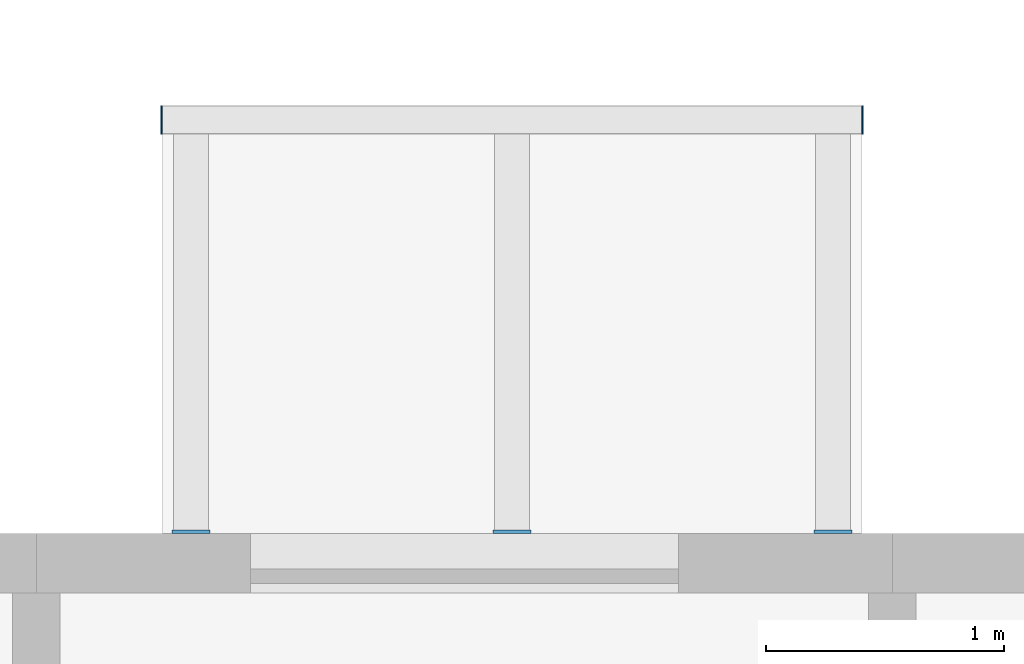
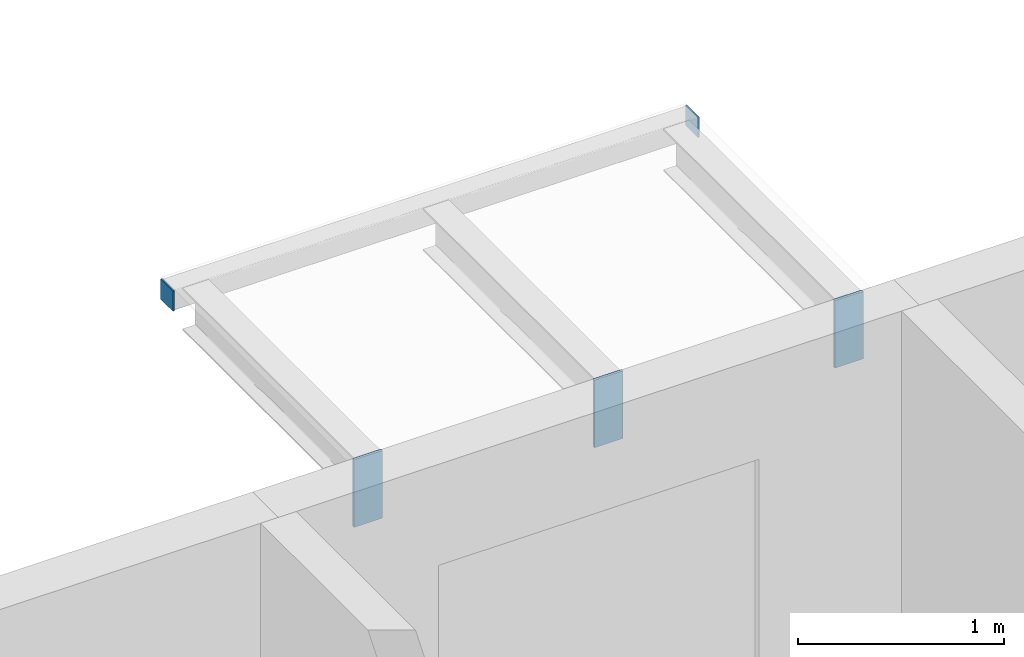
# One storey, part 45 of 64: 5 discrete accessories.
"""IFC4 building model written with IfcOpenShell, lengths in metres."""

from ifc_helpers import new_model, si_unit, direction, frame, origin, origin_2d, place, context, subcontext, project, spatial, rectangle, extrude, material, layer, layer_set, type_object, element, save


model = new_model("IFC4")

# Units and contexts
model_context = context("Model", 3, precision=1e-05, world=origin(), true_north=direction((0.0, 1.0)))
body_context = subcontext(model_context, "Body", "Model", "MODEL_VIEW")
ifc_project = project(units=[si_unit("LENGTHUNIT", "METRE"), si_unit("AREAUNIT", "SQUARE_METRE"), si_unit("VOLUMEUNIT", "CUBIC_METRE"), si_unit("PLANEANGLEUNIT", "RADIAN"), si_unit("MASSUNIT", "GRAM", prefix="KILO")], contexts=[model_context])

# Site, building, storey
site_placement = place(None, origin())
site = spatial("IfcSite", under=ifc_project, at=site_placement, CompositionType="ELEMENT")
building_placement = place(site_placement, origin())
building = spatial("IfcBuilding", under=site, at=building_placement, Name="Ridgestep Commons", CompositionType="ELEMENT")
storey_placement = place(building_placement, frame((0.0, 0.0, 33.0)))
storey = spatial("IfcBuildingStorey", under=building, at=storey_placement, Name="L11", CompositionType="ELEMENT", Elevation=33.0)

# Discrete accessories
ifc_material_1 = material(Name="Weathering steel S355J2W", Category="steel")
ifc_layer_1 = layer(ifc_material_1, 0.014892578125)
ifc_layer_set_1 = layer_set([ifc_layer_1], Name="Tray bracket plate 15")
discrete_accessory_type_1 = type_object("IfcDiscreteAccessoryType", Name="Tray bracket plate 15", PredefinedType="BRACKET", material=ifc_layer_set_1)
for number, where, z_axis, x_axis, name in (
    (1, (173.85009765625, 23.007568359375, 2.588623046875), (0.0, 0.0, 1.0), (1.0, 0.0, 0.0), "Tray bracket D2T2-12.1"),
    (2, (175.199951171875, 23.007568359375, 2.588623046875), (0.0, 0.0, 1.0), (1.0, 0.0, 0.0), "Tray bracket D2T2-12.2"),
    (3, (176.550048828125, 23.007568359375, 2.588623046875), (0.0, 0.0, 1.0), (1.0, 0.0, 0.0), "Tray bracket D2T2-12.3"),
):
    element("IfcDiscreteAccessory", number, at=place(storey_placement, frame(where, z_axis=z_axis, x_axis=x_axis)), inside=storey, type_object=discrete_accessory_type_1, Name=name, PredefinedType="BRACKET", context=body_context, shape_type="SweptSolid", body=[
        extrude(rectangle(XDim=0.159912109375, YDim=0.014892578125, at=origin_2d()), origin(), (0.0, 0.0, 1.0), 0.4013671875),
    ])
ifc_material_2 = material(Name="Weathering steel S355J2W", Category="steel")
ifc_layer_2 = layer(ifc_material_2, 0.008056640625)
ifc_layer_set_2 = layer_set([ifc_layer_2], Name="Tray edge member end plate 120 x 120 x 8")
discrete_accessory_type_2 = type_object("IfcDiscreteAccessoryType", Name="Tray edge member end plate 120 x 120 x 8", PredefinedType="BRACKET", material=ifc_layer_set_2)
for number, where, z_axis, x_axis, name in (
    (4, (173.72607421875, 24.739990234375, 2.869873046875), (0.0, 0.0, 1.0), (1.0, 0.0, 0.0), "Tray edge member end plate D2T2-12 west"),
    (5, (176.674072265625, 24.739990234375, 2.869873046875), (0.0, 0.0, 1.0), (1.0, 0.0, 0.0), "Tray edge member end plate D2T2-12 east"),
):
    element("IfcDiscreteAccessory", number, at=place(storey_placement, frame(where, z_axis=z_axis, x_axis=x_axis)), inside=storey, type_object=discrete_accessory_type_2, Name=name, PredefinedType="BRACKET", context=body_context, shape_type="SweptSolid", body=[
        extrude(rectangle(XDim=0.008056640625, YDim=0.1201171875, at=origin_2d()), origin(), (0.0, 0.0, 1.0), 0.1201171875),
    ])

save(model, "model.ifc")
